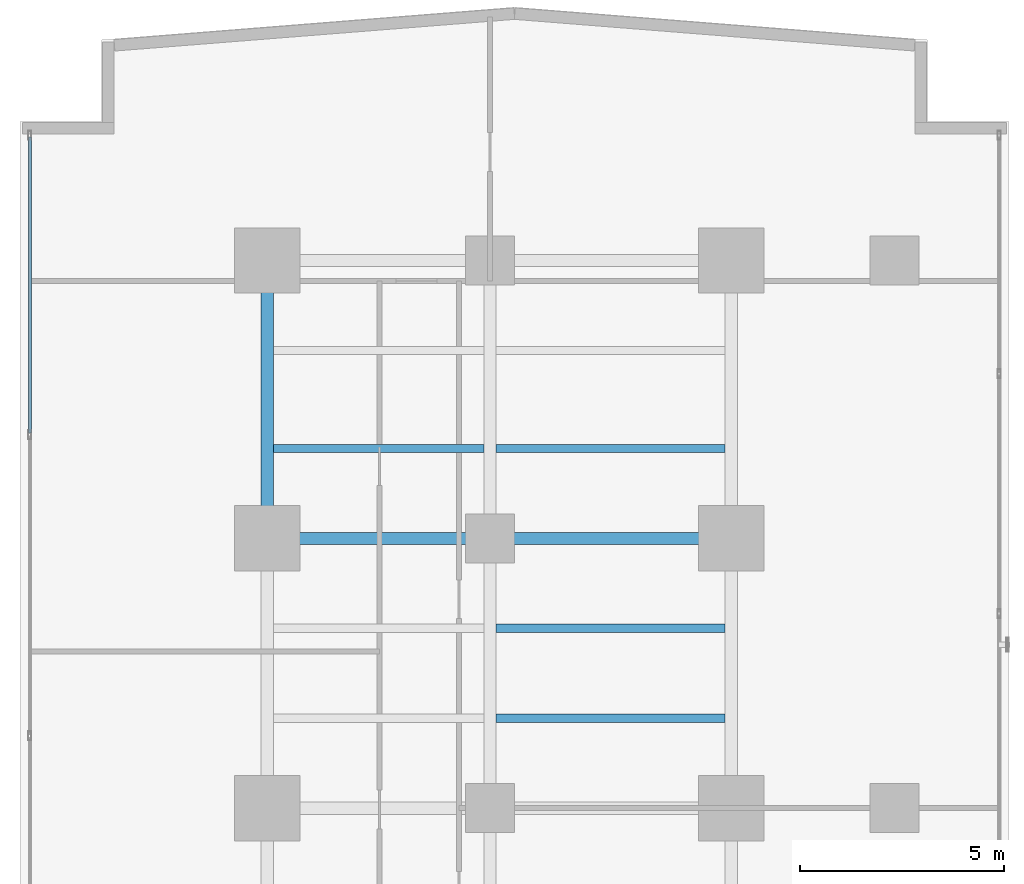
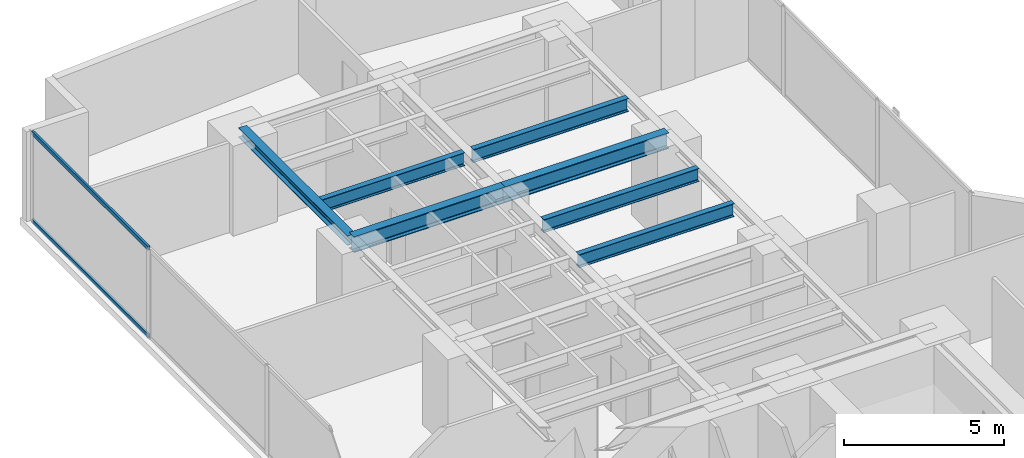
# One storey, part 16 of 28: 7 beams, 2 members, 1 element without a shape of its own.
"""IFC4 building model written with IfcOpenShell, lengths in metres."""

from ifc_helpers import new_model, si_unit, direction, frame, origin, origin_with_axes, origin_2d, place, context, subcontext, project, spatial, hollow_rectangle, i_section, extrude, source, transform, mapped, material, layer, layer_set, material_profile, profile_set, type_object, element, aggregate, save


model = new_model("IFC4")

# Units and contexts
model_context = context("Model", 3, precision=1e-05, world=origin(), true_north=direction((0.0, 1.0)))
body_context = subcontext(model_context, "Body", "Model", "MODEL_VIEW")
ifc_project = project(units=[si_unit("LENGTHUNIT", "METRE"), si_unit("AREAUNIT", "SQUARE_METRE"), si_unit("VOLUMEUNIT", "CUBIC_METRE"), si_unit("PLANEANGLEUNIT", "RADIAN"), si_unit("MASSUNIT", "GRAM", prefix="KILO")], contexts=[model_context])

# Site, building, storey
site_placement = place(None, origin())
site = spatial("IfcSite", under=ifc_project, at=site_placement, CompositionType="ELEMENT")
building_placement = place(site_placement, origin())
building = spatial("IfcBuilding", under=site, at=building_placement, Name="Kolvaren Waterfront Exchange", CompositionType="ELEMENT")
storey_placement = place(building_placement, frame((0.0, 0.0, 79.0)))
storey = spatial("IfcBuildingStorey", under=building, at=storey_placement, Name="L20", CompositionType="ELEMENT", Elevation=79.0)

# Beams
ifc_material_1 = material(Name="Steel S355", Category="steel")
ifc_material_profile_1 = material_profile(ifc_material_1, i_section(OverallWidth=0.300048828125, OverallDepth=0.360107421875, WebThickness=0.012451171875, FlangeThickness=0.0224609375, FilletRadius=0.027099609375, at=origin_2d()), Name="HEB360")
ifc_profile_set_1 = profile_set([ifc_material_profile_1], Name="Steel S355")
beam_type_1 = type_object("IfcBeamType", Name="STR-BM-HEB360", PredefinedType="SPANDREL", material=ifc_profile_set_1)
beam_1_placement = place(storey_placement, frame((7.449951171875, 37.800048828125, 3.239990234375), z_axis=(0.0, 1.0, 0.0), x_axis=(-1.0, 0.0, 0.0)))
element("IfcBeam", 1, at=beam_1_placement, inside=storey, type_object=beam_type_1, Name="L20 north-arm edge beam 3", PredefinedType="SPANDREL", context=body_context, shape_type="SweptSolid", body=[
    extrude(i_section(OverallWidth=0.300048828125, OverallDepth=0.360107421875, WebThickness=0.012451171875, FlangeThickness=0.0224609375, FilletRadius=0.027099609375, at=origin_2d()), origin(), (0.0, 0.0, 1.0), 6.800048828125),
])
ifc_material_profile_2 = material_profile(ifc_material_1, i_section(OverallWidth=0.300048828125, OverallDepth=0.60009765625, WebThickness=0.015380859375, FlangeThickness=0.030029296875, FilletRadius=0.027099609375, at=origin_2d()), Name="HEB600")
ifc_profile_set_2 = profile_set([ifc_material_profile_2], Name="Steel S355")
beam_type_2 = type_object("IfcBeamType", Name="STR-BM-HEB600", PredefinedType="BEAM", material=ifc_profile_set_2)
beam_2_placement = place(storey_placement, frame((7.449951171875, 37.800048828125, 3.1201171875), z_axis=(1.0, 0.0, 0.0), x_axis=(0.0, 1.0, 0.0)))
element("IfcBeam", 2, at=beam_2_placement, inside=storey, type_object=beam_type_2, Name="L20 north-arm girder 3A", PredefinedType="BEAM", context=body_context, shape_type="SweptSolid", body=[
    extrude(i_section(OverallWidth=0.300048828125, OverallDepth=0.60009765625, WebThickness=0.015380859375, FlangeThickness=0.030029296875, FilletRadius=0.027099609375, at=origin_2d()), origin(), (0.0, 0.0, 1.0), 5.449951171875),
])
beam_3_placement = place(storey_placement, frame((12.89990234375, 37.800048828125, 3.1201171875), z_axis=(1.0, 0.0, 0.0), x_axis=(0.0, 1.0, 0.0)))
element("IfcBeam", 3, at=beam_3_placement, inside=storey, type_object=beam_type_2, Name="L20 north-arm girder 3B", PredefinedType="BEAM", context=body_context, shape_type="SweptSolid", body=[
    extrude(i_section(OverallWidth=0.300048828125, OverallDepth=0.60009765625, WebThickness=0.015380859375, FlangeThickness=0.030029296875, FilletRadius=0.027099609375, at=origin_2d()), origin(), (0.0, 0.0, 1.0), 5.900146484375),
])
ifc_material_profile_3 = material_profile(ifc_material_1, i_section(OverallWidth=0.199951171875, OverallDepth=0.5, WebThickness=0.01025390625, FlangeThickness=0.01611328125, FilletRadius=0.02099609375, at=origin_2d()), Name="IPE500")
ifc_profile_set_3 = profile_set([ifc_material_profile_3], Name="Steel S355")
beam_type_3 = type_object("IfcBeamType", Name="STR-BM-IPE500", PredefinedType="JOIST", material=ifc_profile_set_3)
for number, where, z_axis, x_axis, name in (
    (4, (13.052001953125, 33.39990234375, 3.169921875), (1.0, 0.0, 0.0), (0.0, 1.0, 0.0), "L20 north-arm composite joist 3B"),
    (5, (13.052001953125, 35.60009765625, 3.169921875), (1.0, 0.0, 0.0), (0.0, 1.0, 0.0), "L20 north-arm composite joist 4B"),
):
    element("IfcBeam", number, at=place(storey_placement, frame(where, z_axis=z_axis, x_axis=x_axis)), inside=storey, type_object=beam_type_3, Name=name, PredefinedType="JOIST", context=body_context, shape_type="SweptSolid", body=[
        extrude(i_section(OverallWidth=0.199951171875, OverallDepth=0.5, WebThickness=0.01025390625, FlangeThickness=0.01611328125, FilletRadius=0.02099609375, at=origin_2d()), origin(), (0.0, 0.0, 1.0), 5.595947265625),
    ])
beam_4_placement = place(storey_placement, frame((7.60205078125, 40.0, 3.169921875), z_axis=(1.0, 0.0, 0.0), x_axis=(0.0, 1.0, 0.0)))
element("IfcBeam", 6, at=beam_4_placement, inside=storey, type_object=beam_type_3, Name="L20 north-arm composite joist 5A", PredefinedType="JOIST", context=body_context, shape_type="SweptSolid", body=[
    extrude(i_section(OverallWidth=0.199951171875, OverallDepth=0.5, WebThickness=0.01025390625, FlangeThickness=0.01611328125, FilletRadius=0.02099609375, at=origin_2d()), origin(), (0.0, 0.0, 1.0), 5.14599609375),
])
beam_5_placement = place(storey_placement, frame((13.052001953125, 40.0, 3.169921875), z_axis=(1.0, 0.0, 0.0), x_axis=(0.0, 1.0, 0.0)))
element("IfcBeam", 7, at=beam_5_placement, inside=storey, type_object=beam_type_3, Name="L20 north-arm composite joist 5B", PredefinedType="JOIST", context=body_context, shape_type="SweptSolid", body=[
    extrude(i_section(OverallWidth=0.199951171875, OverallDepth=0.5, WebThickness=0.01025390625, FlangeThickness=0.01611328125, FilletRadius=0.02099609375, at=origin_2d()), origin(), (0.0, 0.0, 1.0), 5.595947265625),
])

# Curtain wall, members
ifc_material_2 = material(Name="Anodised aluminium 6063-T6", Category="aluminium")
ifc_layer = layer(ifc_material_2, 0.219970703125, Name="Anodised aluminium 6063-T6")
ifc_layer_set = layer_set([ifc_layer], Name="Anodised aluminium 6063-T6")
curtain_wall_type = type_object("IfcCurtainWallType", Name="ARC-CW-SYS2", PredefinedType="USERDEFINED", material=ifc_layer_set)
curtain_wall_placement = place(storey_placement, origin())
curtain_wall = element("IfcCurtainWall", 8, at=curtain_wall_placement, inside=storey, type_object=curtain_wall_type, Name="L20 stick curtain wall CW2 (CW-L20-W)", ObjectType="STICK CURTAIN WALL", PredefinedType="USERDEFINED")
ifc_material_profile_4 = material_profile(ifc_material_2, hollow_rectangle(XDim=0.074951171875, YDim=0.159912109375, WallThickness=0.00439453125, at=origin_2d()), Name="ALU-TRN-160x75x4.5")
ifc_profile_set_4 = profile_set([ifc_material_profile_4], Name="Anodised aluminium 6063-T6")
member_type = type_object("IfcMemberType", Name="ARC-CWT-160", PredefinedType="USERDEFINED", material=ifc_profile_set_4)
shared_shape = source(origin_with_axes(), body_context, "Body", "SweptSolid", [
    extrude(hollow_rectangle(XDim=0.074951171875, YDim=0.159912109375, WallThickness=0.00439453125, at=origin_2d()), origin(), (0.0, 0.0, 1.0), 7.246826171875),
])
member_1_placement = place(storey_placement, frame((1.639892578125, 40.373291015625, 0.03759765625), z_axis=(0.0, 1.0, 0.0), x_axis=(-1.0, 0.0, 0.0)))
member_1 = element("IfcMember", 9, at=member_1_placement, type_object=member_type, Name="CW2 transom 6.1", ObjectType="TRANSOM", PredefinedType="USERDEFINED", context=body_context, shape_type="MappedRepresentation", body=[
    mapped(shared_shape, transform((0.0, 0.0, 0.0), x_axis=(1.0, 0.0, 0.0), y_axis=(0.0, 1.0, 0.0), z_axis=(0.0, 0.0, 1.0), scale=1.0)),
])
member_2_placement = place(storey_placement, frame((1.639892578125, 40.373291015625, 3.382568359375), z_axis=(0.0, 1.0, 0.0), x_axis=(-1.0, 0.0, 0.0)))
member_2 = element("IfcMember", 10, at=member_2_placement, type_object=member_type, Name="CW2 transom 6.2", ObjectType="TRANSOM", PredefinedType="USERDEFINED", context=body_context, shape_type="MappedRepresentation", body=[
    mapped(shared_shape, transform((0.0, 0.0, 0.0), x_axis=(1.0, 0.0, 0.0), y_axis=(0.0, 1.0, 0.0), z_axis=(0.0, 0.0, 1.0), scale=1.0)),
])
aggregate(curtain_wall, [member_1, member_2])

save(model, "model.ifc")
